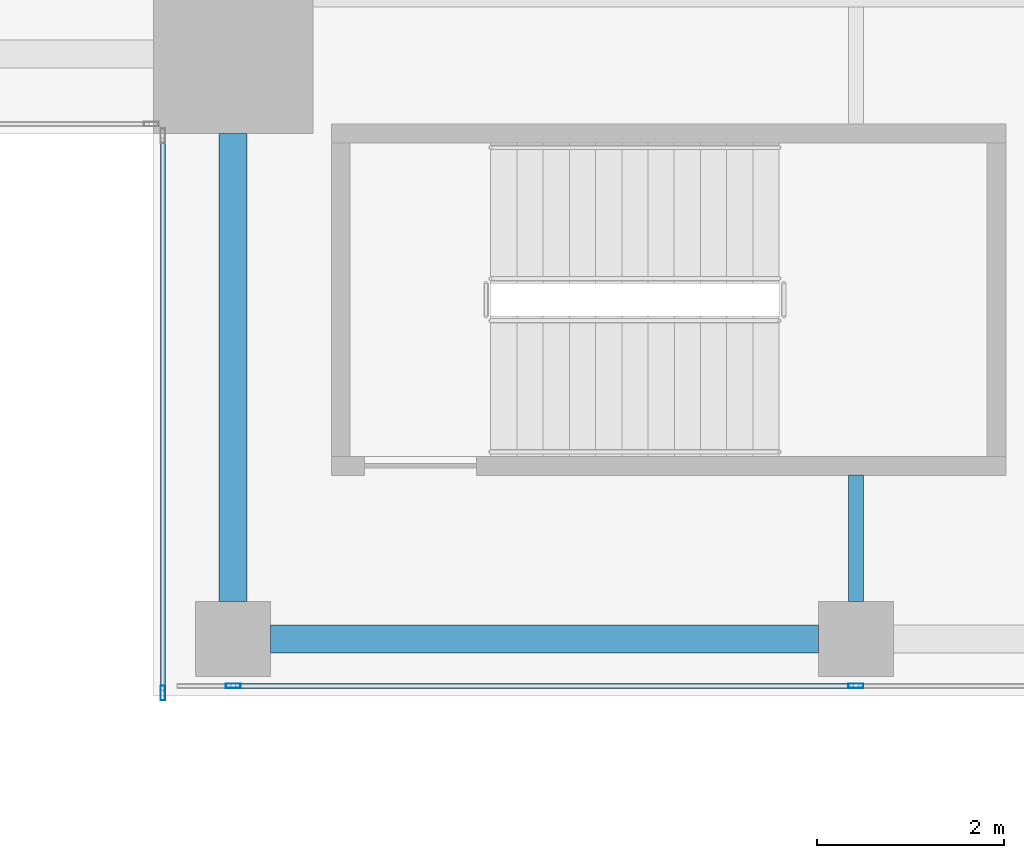
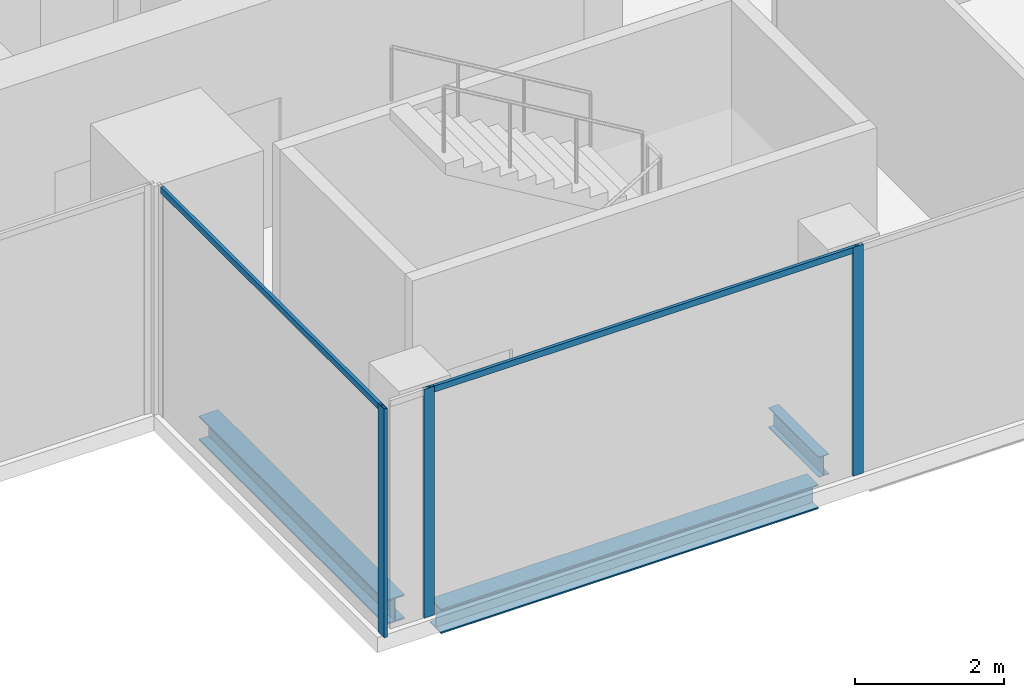
# One storey, part 2 of 28: 5 members, 3 beams, 2 elements without a shape of their own.
"""IFC4 building model written with IfcOpenShell, lengths in metres."""

from ifc_helpers import new_model, si_unit, direction, frame, origin, origin_2d, place, context, subcontext, project, spatial, hollow_rectangle, i_section, extrude, source, transform, mapped, material, material_profile, profile_set, type_object, element, aggregate, save


model = new_model("IFC4")

# Units and contexts
model_context = context("Model", 3, precision=1e-05, world=origin(), true_north=direction((0.0, 1.0)))
body_context = subcontext(model_context, "Body", "Model", "MODEL_VIEW")
ifc_project = project(units=[si_unit("LENGTHUNIT", "METRE"), si_unit("AREAUNIT", "SQUARE_METRE"), si_unit("VOLUMEUNIT", "CUBIC_METRE"), si_unit("PLANEANGLEUNIT", "RADIAN"), si_unit("MASSUNIT", "GRAM", prefix="KILO")], contexts=[model_context])

# Site, building, storey
site_placement = place(None, origin())
site = spatial("IfcSite", under=ifc_project, at=site_placement, CompositionType="ELEMENT")
building_placement = place(site_placement, origin())
building = spatial("IfcBuilding", under=site, at=building_placement, Name="Khomas Fold Tower", CompositionType="ELEMENT")
storey_placement = place(building_placement, frame((0.0, 0.0, 298.199951171875)))
storey = spatial("IfcBuildingStorey", under=building, at=storey_placement, Name="L67", CompositionType="ELEMENT", Elevation=298.199951171875)

# Beams
ifc_material_1 = material(Name="Steel S355", Category="steel")
ifc_material_profile_1 = material_profile(ifc_material_1, i_section(OverallWidth=0.159912109375, OverallDepth=0.330078125, WebThickness=0.007568359375, FlangeThickness=0.011474609375, at=origin_2d()), Name="IPE 330")
ifc_profile_set_1 = profile_set([ifc_material_profile_1], Name="Steel S355")
beam_type_1 = type_object("IfcBeamType", Name="IPE 330 beam JB1", PredefinedType="BEAM", material=ifc_profile_set_1)
shared_shape_1 = source(origin(), body_context, "Body", "SweptSolid", [
    extrude(i_section(OverallWidth=0.159912109375, OverallDepth=0.330078125, WebThickness=0.007568359375, FlangeThickness=0.011474609375, at=origin_2d()), origin(), (0.0, 0.0, 1.0), 1.35009765625),
])
beam_1_placement = place(storey_placement, frame((19.5, 7.0, -0.4150390625), z_axis=(0.0, 1.0, 0.0), x_axis=(-1.0, 0.0, 0.0)))
element("IfcBeam", 1, at=beam_1_placement, inside=storey, type_object=beam_type_1, Name="JB1", PredefinedType="BEAM", context=body_context, shape_type="MappedRepresentation", body=[
    mapped(shared_shape_1, transform((0.0, 0.0, 0.0))),
])
ifc_material_2 = material(Name="Steel S355", Category="steel")
ifc_material_profile_2 = material_profile(ifc_material_2, i_section(OverallWidth=0.300048828125, OverallDepth=0.39990234375, WebThickness=0.013427734375, FlangeThickness=0.02392578125, at=origin_2d()), Name="HE 400 B")
ifc_profile_set_2 = profile_set([ifc_material_profile_2], Name="Steel S355")
beam_type_2 = type_object("IfcBeamType", Name="HE 400 B spandrel SB5", PredefinedType="SPANDREL", material=ifc_profile_set_2)
shared_shape_2 = source(origin(), body_context, "Body", "SweptSolid", [
    extrude(i_section(OverallWidth=0.300048828125, OverallDepth=0.39990234375, WebThickness=0.013427734375, FlangeThickness=0.02392578125, at=origin_2d()), origin(), (0.0, 0.0, 1.0), 5.85009765625),
])
beam_2_placement = place(storey_placement, frame((13.25, 6.60009765625, -0.449951171875), z_axis=(1.0, 0.0, 0.0), x_axis=(0.0, 1.0, 0.0)))
element("IfcBeam", 2, at=beam_2_placement, inside=storey, type_object=beam_type_2, Name="SB5", PredefinedType="SPANDREL", context=body_context, shape_type="MappedRepresentation", body=[
    mapped(shared_shape_2, transform((0.0, 0.0, 0.0))),
])
shared_shape_3 = source(origin(), body_context, "Body", "SweptSolid", [
    extrude(i_section(OverallWidth=0.300048828125, OverallDepth=0.39990234375, WebThickness=0.013427734375, FlangeThickness=0.02392578125, at=origin_2d()), origin(), (0.0, 0.0, 1.0), 5.0),
])
beam_3_placement = place(storey_placement, frame((12.85009765625, 7.0, -0.449951171875), z_axis=(0.0, 1.0, 0.0), x_axis=(-1.0, 0.0, 0.0)))
element("IfcBeam", 3, at=beam_3_placement, inside=storey, type_object=beam_type_2, Name="SB5", PredefinedType="SPANDREL", context=body_context, shape_type="MappedRepresentation", body=[
    mapped(shared_shape_3, transform((0.0, 0.0, 0.0))),
])

# Curtain wall, members
ifc_material_3 = material(Name="Aluminium framed double glazing", Category="aluminium")
curtain_wall_type = type_object("IfcCurtainWallType", Name="SK-Unitised clear-glass wall, upper floors CW3", PredefinedType="NOTDEFINED", material=ifc_material_3)
curtain_wall_1_placement = place(storey_placement, origin())
curtain_wall_1 = element("IfcCurtainWall", 4, at=curtain_wall_1_placement, inside=storey, type_object=curtain_wall_type, Name="CW3 run L67 00-0", PredefinedType="NOTDEFINED")
ifc_material_4 = material(Name="Aluminium", Category="aluminium")
ifc_material_profile_3 = material_profile(ifc_material_4, hollow_rectangle(XDim=0.050048828125, YDim=0.159912109375, WallThickness=0.00390625, at=origin_2d()), Name="SK-Unitised clear-glass wall, upper floors mullion CW3-M")
ifc_profile_set_3 = profile_set([ifc_material_profile_3], Name="Aluminium")
member_type_1 = type_object("IfcMemberType", Name="SK-Unitised clear-glass wall, upper floors mullion CW3-M", PredefinedType="MULLION", material=ifc_profile_set_3)
shared_shape_4 = source(origin(), body_context, "Body", "SweptSolid", [
    extrude(hollow_rectangle(XDim=0.050048828125, YDim=0.159912109375, WallThickness=0.00390625, at=origin_2d()), origin(), (0.0, 0.0, 1.0), 3.75),
])
member_1_placement = place(storey_placement, frame((12.85009765625, 6.10009765625, 0.0), z_axis=(0.0, 0.0, 1.0), x_axis=(0.0, 1.0, 0.0)))
member_1 = element("IfcMember", 5, at=member_1_placement, type_object=member_type_1, Name="CW3 mullion 2", PredefinedType="MULLION", context=body_context, shape_type="MappedRepresentation", body=[
    mapped(shared_shape_4, transform((0.0, 0.0, 0.0))),
])
member_2_placement = place(storey_placement, frame((19.5, 6.10009765625, 0.0), z_axis=(0.0, 0.0, 1.0), x_axis=(0.0, 1.0, 0.0)))
member_2 = element("IfcMember", 6, at=member_2_placement, type_object=member_type_1, Name="CW3 mullion 3", PredefinedType="MULLION", context=body_context, shape_type="MappedRepresentation", body=[
    mapped(shared_shape_4, transform((0.0, 0.0, 0.0))),
])

# Curtain wall, member
curtain_wall_2_placement = place(storey_placement, origin())
curtain_wall_2 = element("IfcCurtainWall", 7, at=curtain_wall_2_placement, inside=storey, type_object=curtain_wall_type, Name="CW3 corner return L67 11", PredefinedType="NOTDEFINED")
member_3_placement = place(storey_placement, frame((12.10009765625, 6.02490234375, 0.0), z_axis=(0.0, 0.0, 1.0), x_axis=(1.0, 0.0, 0.0)))
member_3 = element("IfcMember", 8, at=member_3_placement, type_object=member_type_1, Name="CW3 mullion 2", PredefinedType="MULLION", context=body_context, shape_type="MappedRepresentation", body=[
    mapped(shared_shape_4, transform((0.0, 0.0, 0.0))),
])

# Member
ifc_material_5 = material(Name="Aluminium", Category="aluminium")
ifc_material_profile_4 = material_profile(ifc_material_5, hollow_rectangle(XDim=0.050048828125, YDim=0.10009765625, WallThickness=0.00390625, at=origin_2d()), Name="SK-Unitised clear-glass wall, upper floors transom CW3-T")
ifc_profile_set_4 = profile_set([ifc_material_profile_4], Name="Aluminium")
member_type_2 = type_object("IfcMemberType", Name="SK-Unitised clear-glass wall, upper floors transom CW3-T", PredefinedType="USERDEFINED", material=ifc_profile_set_4)
shared_shape_5 = source(origin(), body_context, "Body", "SweptSolid", [
    extrude(hollow_rectangle(XDim=0.050048828125, YDim=0.10009765625, WallThickness=0.00390625, at=origin_2d()), origin(), (0.0, 0.0, 1.0), 6.60009765625),
])
member_4_placement = place(storey_placement, frame((12.875, 6.10009765625, 3.699951171875), z_axis=(1.0, 0.0, 0.0), x_axis=(0.0, 1.0, 0.0)))
member_4 = element("IfcMember", 9, at=member_4_placement, type_object=member_type_2, Name="CW3 transom 2", ObjectType="TRANSOM", PredefinedType="USERDEFINED", context=body_context, shape_type="MappedRepresentation", body=[
    mapped(shared_shape_5, transform((0.0, 0.0, 0.0))),
])

aggregate(curtain_wall_1, [member_1, member_2, member_4])

shared_shape_6 = source(origin(), body_context, "Body", "SweptSolid", [
    extrude(hollow_rectangle(XDim=0.050048828125, YDim=0.10009765625, WallThickness=0.00390625, at=origin_2d()), origin(), (0.0, 0.0, 1.0), 5.89990234375),
])
member_5_placement = place(storey_placement, frame((12.10009765625, 11.949951171875, 3.699951171875), z_axis=(0.0, -1.0, 0.0), x_axis=(1.0, 0.0, 0.0)))
member_5 = element("IfcMember", 10, at=member_5_placement, type_object=member_type_2, Name="CW3 transom 1", ObjectType="TRANSOM", PredefinedType="USERDEFINED", context=body_context, shape_type="MappedRepresentation", body=[
    mapped(shared_shape_6, transform((0.0, 0.0, 0.0))),
])

aggregate(curtain_wall_2, [member_3, member_5])

save(model, "model.ifc")
